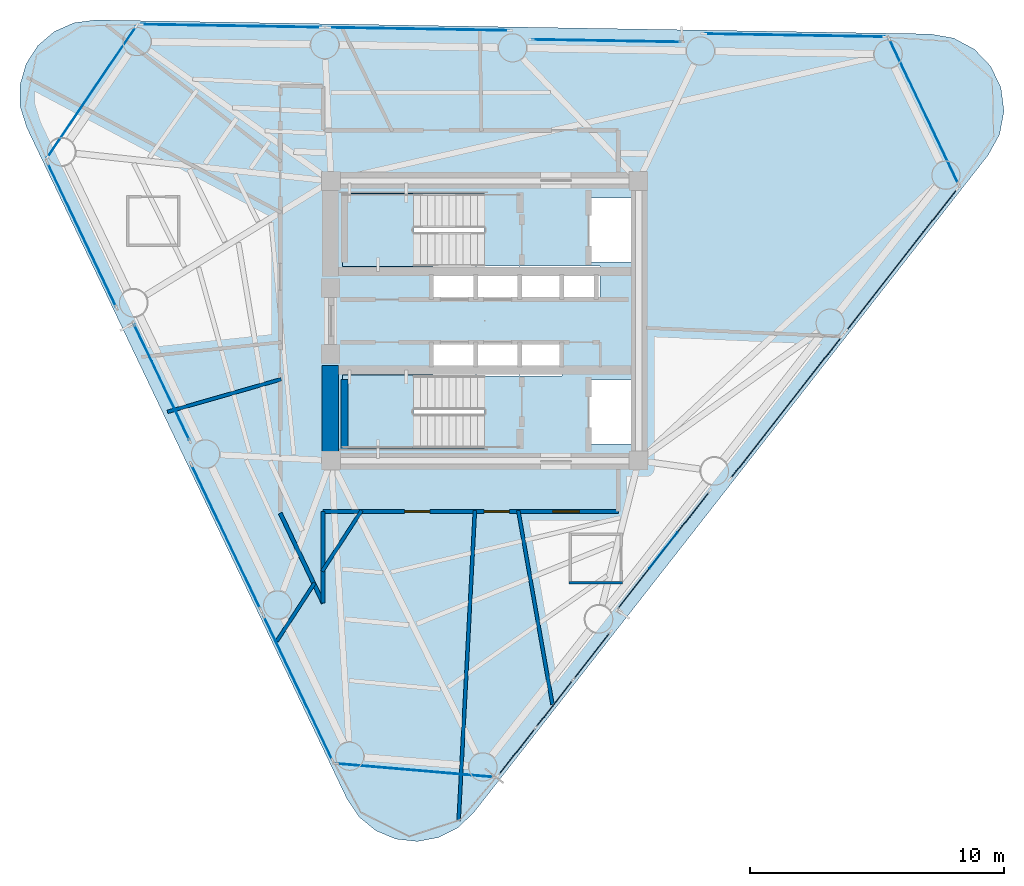
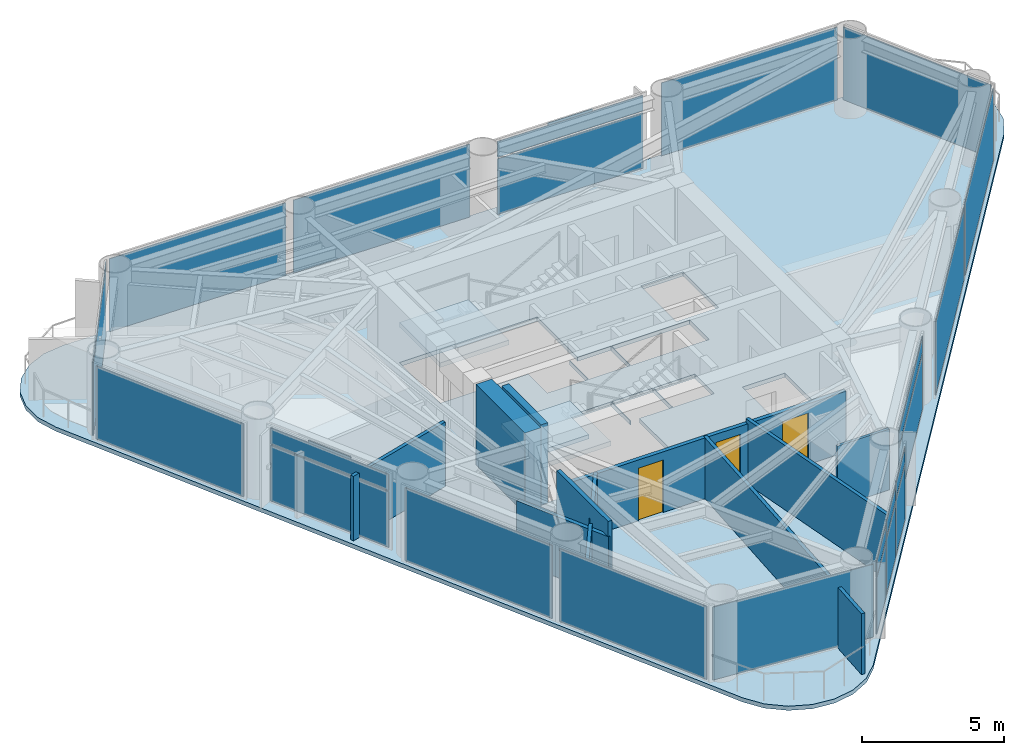
# One storey, part 4 of 10: 26 plates, 11 walls, 3 doors, 3 slabs, 3 openings, 17 elements without a shape of their own.
"""IFC4 building model written with IfcOpenShell, lengths in metres."""

import ifcopenshell
import ifcopenshell.guid

model = None  # the IFC model being written
_history = None  # IfcOwnerHistory: only IFC2X3 demands one
_inside = {}  # id of a spatial element -> (the spatial element, [elements in it])
_under = {}  # id of a project, library or spatial element -> (it, [spatial elements below it])
_declared = {}  # id of a project -> (the project, [libraries it declares])
_typed = {}  # id of a type object -> (the type object, [elements of that type])
_made_of = {}  # id of a material, layer set ... -> (it, [elements and type objects made of it])


def new_model(schema):
    """Start an empty IFC model of exactly this schema.

    Asked for "IFC4X3", IfcOpenShell would pick the latest addendum, in which some entities
    have other attributes; the version numbers below select the first issue.
    IFC2X3 requires an IfcOwnerHistory on every rooted entity: one is made here for all.
    """
    global model, _history
    if schema == "IFC4X3":
        model = ifcopenshell.file(schema_version=(4, 3, 0, 0))
    else:
        model = ifcopenshell.file(schema=schema)
    _inside.clear()
    _under.clear()
    _declared.clear()
    _typed.clear()
    _made_of.clear()
    _history = None
    if model.schema == "IFC2X3":
        org = make("IfcOrganization", Name="unknown")
        user = make(
            "IfcPersonAndOrganization",
            ThePerson=make("IfcPerson", FamilyName="unknown"),
            TheOrganization=org,
        )
        app = make(
            "IfcApplication",
            ApplicationDeveloper=org,
            Version="unknown",
            ApplicationFullName="unknown",
            ApplicationIdentifier="unknown",
        )
        _history = make(
            "IfcOwnerHistory",
            OwningUser=user,
            OwningApplication=app,
            ChangeAction="ADDED",
            CreationDate=0,
        )
    return model


def make(cls, **values):
    """One entity of the class cls with the attributes given. An attribute that is None is left unset."""
    return model.create_entity(
        cls, **{name: value for name, value in values.items() if value is not None}
    )


def rooted(cls, **values):
    """An entity with a GlobalId (a new one), such as an element, a storey or a relation."""
    return make(cls, GlobalId=ifcopenshell.guid.new(), OwnerHistory=_history, **values)


def si_unit(unit_type, name, prefix=None):
    """IfcSIUnit, for example si_unit("LENGTHUNIT", "METRE", prefix="MILLI")."""
    return make("IfcSIUnit", UnitType=unit_type, Prefix=prefix, Name=name)


def assignment(units):
    """IfcUnitAssignment: the units of a project."""
    return None if units is None else make("IfcUnitAssignment", Units=units)


def point(xyz):
    """IfcCartesianPoint."""
    return None if xyz is None else make("IfcCartesianPoint", Coordinates=xyz)


def direction(xyz):
    """IfcDirection."""
    return None if xyz is None else make("IfcDirection", DirectionRatios=xyz)


def frame(location, z_axis=None, x_axis=None):
    """IfcAxis2Placement3D, a coordinate frame: its origin and axes. An axis left out is left unset."""
    return make(
        "IfcAxis2Placement3D",
        Location=point(location),
        Axis=direction(z_axis),
        RefDirection=direction(x_axis),
    )


def frame_2d(location, x_axis=None):
    """IfcAxis2Placement2D, a coordinate frame in the plane: its origin and x axis."""
    return make(
        "IfcAxis2Placement2D", Location=point(location), RefDirection=direction(x_axis)
    )


def origin():
    """The frame at (0, 0, 0) with its axes left unset."""
    return frame((0.0, 0.0, 0.0))


def origin_2d():
    """The frame at (0, 0) in the plane with its x axis left unset."""
    return frame_2d((0.0, 0.0))


def place(relative_to, where):
    """IfcLocalPlacement: puts the frame where relative to a parent placement (None: the world)."""
    return make(
        "IfcLocalPlacement", PlacementRelTo=relative_to, RelativePlacement=where
    )


def context(
    kind, dimensions, precision=None, world=None, true_north=None, identifier=None
):
    """IfcGeometricRepresentationContext, for example the 3D "Model" context."""
    return make(
        "IfcGeometricRepresentationContext",
        ContextIdentifier=identifier,
        ContextType=kind,
        CoordinateSpaceDimension=dimensions,
        Precision=precision,
        WorldCoordinateSystem=world,
        TrueNorth=true_north,
    )


def subcontext(parent, identifier, kind, view, scale=None):
    """IfcGeometricRepresentationSubContext, for example "Body" below "Model"."""
    return make(
        "IfcGeometricRepresentationSubContext",
        ContextIdentifier=identifier,
        ContextType=kind,
        ParentContext=parent,
        TargetScale=scale,
        TargetView=view,
    )


def project(units=None, contexts=None):
    """IfcProject with its units and contexts."""
    return rooted(
        "IfcProject",
        Name="project",
        RepresentationContexts=contexts,
        UnitsInContext=assignment(units),
    )


def spatial(cls, under=None, at=None, **own):
    """A site, building, storey or space (cls), placed at a placement, below another one or the project."""
    s = rooted(cls, ObjectPlacement=at, **own)
    if under is not None:
        _under.setdefault(under.id(), (under, []))[1].append(s)
    return s


def polyline(points):
    """IfcPolyline through the points."""
    return make("IfcPolyline", Points=[point(p) for p in points])


def profile(cls, at=None, kind="AREA", **sizes):
    """A parametric profile (cls). Its sizes go by their IFC names, for example OverallWidth=200.0."""
    return make(cls, ProfileType=kind, Position=at, **sizes)


def rectangle(**sizes):
    """IfcRectangleProfileDef."""
    return profile("IfcRectangleProfileDef", **sizes)


def outline(outer, holes=None, kind="AREA"):
    """IfcArbitraryClosedProfileDef: a profile drawn as a closed curve; with holes, ...WithVoids."""
    if holes is None:
        return make("IfcArbitraryClosedProfileDef", ProfileType=kind, OuterCurve=outer)
    return make(
        "IfcArbitraryProfileDefWithVoids",
        ProfileType=kind,
        OuterCurve=outer,
        InnerCurves=holes,
    )


def extrude(swept, where, along, depth):
    """IfcExtrudedAreaSolid: the profile swept, set in the frame where, extruded along a direction by depth."""
    return make(
        "IfcExtrudedAreaSolid",
        SweptArea=swept,
        Position=where,
        ExtrudedDirection=direction(along),
        Depth=depth,
    )


def shape(context_of_items, identifier, shape_type, items):
    """IfcShapeRepresentation: the items that make up one representation, for example the "Body"."""
    return make(
        "IfcShapeRepresentation",
        ContextOfItems=context_of_items,
        RepresentationIdentifier=identifier,
        RepresentationType=shape_type,
        Items=items,
    )


def source(mapping_origin, context_of_items, identifier, shape_type, items):
    """IfcRepresentationMap: a shape defined once, which mapped items show again and again."""
    return make(
        "IfcRepresentationMap",
        MappingOrigin=mapping_origin,
        MappedRepresentation=shape(context_of_items, identifier, shape_type, items),
    )


def transform(
    local_origin,
    x_axis=None,
    y_axis=None,
    z_axis=None,
    scale=None,
    scale2=None,
    scale3=None,
    uniform=True,
):
    """IfcCartesianTransformationOperator3D, or its non-uniform kind. x_axis, y_axis, z_axis: its Axis1, 2, 3."""
    if uniform:
        return make(
            "IfcCartesianTransformationOperator3D",
            Axis1=direction(x_axis),
            Axis2=direction(y_axis),
            LocalOrigin=point(local_origin),
            Scale=scale,
            Axis3=direction(z_axis),
        )
    return make(
        "IfcCartesianTransformationOperator3DnonUniform",
        Axis1=direction(x_axis),
        Axis2=direction(y_axis),
        LocalOrigin=point(local_origin),
        Scale=scale,
        Axis3=direction(z_axis),
        Scale2=scale2,
        Scale3=scale3,
    )


def mapped(mapping_source, mapping_target):
    """IfcMappedItem: shows the shape of a source again, moved by a transform."""
    return make(
        "IfcMappedItem", MappingSource=mapping_source, MappingTarget=mapping_target
    )


def material(Name=None, Category=None):
    """IfcMaterial."""
    return make("IfcMaterial", Name=Name, Category=Category)


def layer(
    of_material, thickness, ventilated=None, Name=None, Category=None, Priority=None
):
    """IfcMaterialLayer: one layer of a wall or slab, of a material (None: an air gap)."""
    return make(
        "IfcMaterialLayer",
        Material=of_material,
        LayerThickness=thickness,
        IsVentilated=ventilated,
        Name=Name,
        Category=Category,
        Priority=Priority,
    )


def layer_set(layers, Name=None):
    """IfcMaterialLayerSet."""
    return make("IfcMaterialLayerSet", MaterialLayers=layers, LayerSetName=Name)


def made_of(thing, what):
    """Note that an element or type object is made of a material, layer set ...; save() writes the relation."""
    if what is not None:
        _made_of.setdefault(what.id(), (what, []))[1].append(thing)
    return thing


def type_object(cls, material=None, **own):
    """A type object (cls), such as IfcWallType, which elements share."""
    return made_of(rooted(cls, **own), material)


def element(
    cls,
    number,
    at=None,
    inside=None,
    cuts=None,
    type_object=None,
    material=None,
    context=None,
    identifier="Body",
    shape_type=None,
    held_by="IfcProductDefinitionShape",
    body=None,
    shapes=None,
    **own,
):
    """One element of the class cls, such as IfcWall. Its Tag is "e" and its number.

    at: its placement. inside: the storey or other place that contains it. cuts: it is an
    opening in that element (IfcRelVoidsElement). A single representation is given by context,
    identifier, shape_type and body (its items); several are given by shapes. held_by: the class
    of the entity that holds the representations. save() writes the other relations.
    """
    e = rooted(cls, Tag="e%d" % number, ObjectPlacement=at, **own)
    if body is not None:
        shapes = [shape(context, identifier, shape_type, body)]
    if shapes is not None:
        e.Representation = make(held_by, Representations=shapes)
    if inside is not None:
        _inside.setdefault(inside.id(), (inside, []))[1].append(e)
    if cuts is not None:
        rooted(
            "IfcRelVoidsElement", RelatingBuildingElement=cuts, RelatedOpeningElement=e
        )
    if type_object is not None:
        _typed.setdefault(type_object.id(), (type_object, []))[1].append(e)
    return made_of(e, material)


def fill(opening, filler):
    """IfcRelFillsElement: the door or window that sits in an opening."""
    return rooted(
        "IfcRelFillsElement",
        RelatingOpeningElement=opening,
        RelatedBuildingElement=filler,
    )


def aggregate(whole, parts):
    """IfcRelAggregates: a whole, such as a stair, and the parts it consists of."""
    return rooted("IfcRelAggregates", RelatingObject=whole, RelatedObjects=parts)


def save(model, path):
    """Write the relations noted so far, then the file.

    IfcRelAggregates (storeys below a building ...), IfcRelContainedInSpatialStructure (elements
    in a storey), IfcRelDefinesByType, IfcRelAssociatesMaterial and IfcRelDeclares: one each for
    every whole, place, type object, material and project.
    """
    for whole, parts in _under.values():
        aggregate(whole, parts)
    for where, things in _inside.values():
        rooted(
            "IfcRelContainedInSpatialStructure",
            RelatedElements=things,
            RelatingStructure=where,
        )
    for kind, things in _typed.values():
        rooted("IfcRelDefinesByType", RelatedObjects=things, RelatingType=kind)
    for what, things in _made_of.values():
        rooted("IfcRelAssociatesMaterial", RelatedObjects=things, RelatingMaterial=what)
    for by, libraries in _declared.values():
        rooted("IfcRelDeclares", RelatingContext=by, RelatedDefinitions=libraries)
    model.write(path)


model = new_model("IFC4")

# Units and contexts
model_context = context("Model", 3, precision=1e-05, world=origin(), true_north=direction((0.0, 1.0)))
body_context = subcontext(model_context, "Body", "Model", "MODEL_VIEW")
ifc_project = project(units=[si_unit("LENGTHUNIT", "METRE"), si_unit("AREAUNIT", "SQUARE_METRE"), si_unit("VOLUMEUNIT", "CUBIC_METRE"), si_unit("PLANEANGLEUNIT", "RADIAN"), si_unit("MASSUNIT", "GRAM", prefix="KILO")], contexts=[model_context])

# Site, building, storey
site_placement = place(None, origin())
site = spatial("IfcSite", under=ifc_project, at=site_placement, CompositionType="ELEMENT")
building_placement = place(site_placement, origin())
building = spatial("IfcBuilding", under=site, at=building_placement, Name="Yunling Apex Tower", CompositionType="ELEMENT")
storey_placement = place(building_placement, frame((0.0, 0.0, 191.449951171875)))
storey = spatial("IfcBuildingStorey", under=building, at=storey_placement, Name="L46", CompositionType="ELEMENT", Elevation=191.449951171875)

# Slab
ifc_material_1 = material(Name="Concrete C40", Category="concrete")
ifc_layer_1 = layer(ifc_material_1, 0.1650390625)
ifc_layer_set_1 = layer_set([ifc_layer_1], Name="Concrete C40")
slab_type_1 = type_object("IfcSlabType", Name="SL-FLR-2", PredefinedType="FLOOR", material=ifc_layer_set_1)
slab_1_placement = place(storey_placement, frame((0.0, 0.0, -0.179931640625)))
element("IfcSlab", 1, at=slab_1_placement, inside=storey, type_object=slab_type_1, Name="L46 Composite Tower Floor Slab", PredefinedType="FLOOR", context=body_context, shape_type="SweptSolid", body=[
    extrude(outline(polyline([(-5.42578125, -18.80419921875), (-4.95068359375, -19.513427734375), (-4.29248046875, -20.056884765625), (-3.506103515625, -20.38916015625), (-2.65771484375, -20.482421875), (-1.818115234375, -20.32861328125), (-1.0576171875, -19.941162109375), (-0.439697265625, -19.35205078125), (19.8017578125, 6.518798828125), (20.25244140625, 7.333251953125), (20.427001953125, 8.24755859375), (20.307861328125, 9.1708984375), (19.9072265625, 10.010986328125), (19.2646484375, 10.684326171875), (18.4443359375, 11.1240234375), (17.527587890625, 11.286376953125), (-15.316162109375, 11.8369140625), (-16.16259765625, 11.7275390625), (-16.9423828125, 11.38037109375), (-17.59033203125, 10.824462890625), (-18.0517578125, 10.1064453125), (-18.288330078125, 9.286376953125), (-18.2802734375, 8.4326171875), (-18.0283203125, 7.6171875), (-5.42578125, -18.80419921875)]), holes=[polyline([(5.81005859375, -2.320068359375), (5.81005859375, -4.840087890625), (4.090087890625, -4.840087890625), (4.090087890625, -2.320068359375), (5.81005859375, -2.320068359375)]), polyline([(5.81005859375, 4.840087890625), (5.81005859375, 2.320068359375), (4.090087890625, 2.320068359375), (4.090087890625, 4.840087890625), (5.81005859375, 4.840087890625)]), polyline([(4.534912109375, 0.794921875), (1.364990234375, 0.794921875), (1.364990234375, 2.1650390625), (4.534912109375, 2.1650390625), (4.534912109375, 0.794921875)]), polyline([(3.034912109375, -0.794921875), (3.034912109375, -2.1650390625), (1.364990234375, -2.1650390625), (1.364990234375, -0.794921875), (3.034912109375, -0.794921875)]), polyline([(-2.034912109375, -0.794921875), (-0.364990234375, -0.794921875), (-0.364990234375, -2.139892578125), (-0.3349609375, -2.139892578125), (-0.3349609375, -0.794921875), (1.3349609375, -0.794921875), (1.3349609375, -2.1650390625), (-0.010009765625, -2.1650390625), (-0.010009765625, -5.010009765625), (-5.60009765625, -5.010009765625), (-5.60009765625, -2.139892578125), (-2.034912109375, -2.139892578125), (-2.034912109375, -0.794921875)]), polyline([(-5.60009765625, 2.139892578125), (-5.60009765625, 5.010009765625), (-0.010009765625, 5.010009765625), (-0.010009765625, 2.1650390625), (1.3349609375, 2.1650390625), (1.3349609375, 0.794921875), (-0.3349609375, 0.794921875), (-0.3349609375, 2.139892578125), (-0.364990234375, 2.139892578125), (-0.364990234375, 0.794921875), (-2.034912109375, 0.794921875), (-2.034912109375, 2.139892578125), (-5.60009765625, 2.139892578125)])]), origin(), (0.0, 0.0, 1.0), 0.179931640625),
])

# Stair, slab
stair_type = type_object("IfcStairType", Name="ST-TWR-2", PredefinedType="HALF_TURN_STAIR", material=ifc_material_1)
stair_1_placement = place(storey_placement, origin())
stair_1 = element("IfcStair", 2, at=stair_1_placement, inside=storey, type_object=stair_type, Name="L46 North Core Smokeproof Exit Stair ST-1", PredefinedType="HALF_TURN_STAIR")
ifc_layer_2 = layer(ifc_material_1, 0.195068359375)
ifc_layer_set_2 = layer_set([ifc_layer_2], Name="Concrete C40")
slab_type_2 = type_object("IfcSlabType", Name="SL-LND-1", PredefinedType="LANDING", material=ifc_layer_set_2)
slab_2_placement = place(storey_placement, frame((0.0, 0.0, 1.530029296875)))
slab_2 = element("IfcSlab", 3, at=slab_2_placement, type_object=slab_type_2, Name="ST-1 landing 1", PredefinedType="LANDING", context=body_context, shape_type="SweptSolid", body=[
    extrude(outline(polyline([(-2.81005859375, 5.010009765625), (-5.60009765625, 5.010009765625), (-5.60009765625, 2.139892578125), (-2.81005859375, 2.139892578125), (-2.81005859375, 5.010009765625)])), origin(), (0.0, 0.0, 1.0), 0.195068359375),
])
aggregate(stair_1, [slab_2])

stair_2_placement = place(storey_placement, origin())
stair_2 = element("IfcStair", 4, at=stair_2_placement, inside=storey, type_object=stair_type, Name="L46 South Core Smokeproof Exit Stair ST-2", PredefinedType="HALF_TURN_STAIR")
slab_3_placement = place(storey_placement, frame((0.0, 0.0, 1.530029296875)))
slab_3 = element("IfcSlab", 5, at=slab_3_placement, type_object=slab_type_2, Name="ST-2 landing 1", PredefinedType="LANDING", context=body_context, shape_type="SweptSolid", body=[
    extrude(outline(polyline([(-2.81005859375, -2.139892578125), (-5.60009765625, -2.139892578125), (-5.60009765625, -5.010009765625), (-2.81005859375, -5.010009765625), (-2.81005859375, -2.139892578125)])), origin(), (0.0, 0.0, 1.0), 0.195068359375),
])
aggregate(stair_2, [slab_3])

# Plates
ifc_material_2 = material(Name="Bronze anodised aluminium", Category="aluminium")
ifc_layer_3 = layer(ifc_material_2, 0.011962890625)
ifc_layer_set_3 = layer_set([ifc_layer_3], Name="Bronze anodised aluminium")
plate_type_1 = type_object("IfcPlateType", Name="SP-SHT-1", PredefinedType="SHEET", material=ifc_layer_set_3)
shared_shape_1 = source(origin(), body_context, "Body", "SweptSolid", [
    extrude(rectangle(XDim=1.800048828125, YDim=0.02392578125, at=origin_2d()), origin(), (0.0, 0.0, 1.0), 0.43994140625),
])
for number, where, z_axis, x_axis, name in (
    (6, (7.02587890625, -9.03125, 2.8701171875), (0.0, 0.0, 1.0), (0.616211460536, 0.787580748815, 0.0), "SP-GRV-L46-F1"),
    (7, (4.792724609375, 11.019775390625, 2.8701171875), (0.0, 0.0, 1.0), (-0.999859635577, 0.016754376869, 0.0), "SP-GRV-L46-F2"),
    (8, (-12.71142578125, -2.414306640625, 2.8701171875), (0.0, 0.0, 1.0), (0.430511096808, -0.90258528435, 0.0), "SP-GRV-L46-F3"),
):
    element("IfcPlate", number, at=place(storey_placement, frame(where, z_axis=z_axis, x_axis=x_axis)), inside=storey, type_object=plate_type_1, Name=name, PredefinedType="SHEET", context=body_context, shape_type="MappedRepresentation", body=[
        mapped(shared_shape_1, transform((0.0, 0.0, 0.0), scale=1.0)),
    ])

# Curtain wall, plates
ifc_layer_4 = layer(ifc_material_2, 0.239990234375)
ifc_layer_set_4 = layer_set([ifc_layer_4], Name="Bronze anodised aluminium")
curtain_wall_type = type_object("IfcCurtainWallType", Name="CW-SYS-3", PredefinedType="NOTDEFINED", material=ifc_layer_set_4)
curtain_wall_1_placement = place(storey_placement, origin())
curtain_wall_1 = element("IfcCurtainWall", 9, at=curtain_wall_1_placement, inside=storey, type_object=curtain_wall_type, Name="CW-L46-F1-B1", PredefinedType="NOTDEFINED")
ifc_material_3 = material(Name="Bronze tinted low-E glass", Category="glass")
ifc_layer_5 = layer(ifc_material_3, 0.031982421875)
ifc_layer_set_5 = layer_set([ifc_layer_5], Name="Bronze tinted low-E glass")
plate_type_2 = type_object("IfcPlateType", Name="CW-PNL-3", PredefinedType="CURTAIN_PANEL", material=ifc_layer_set_5)
shared_shape_2 = source(origin(), body_context, "Body", "SweptSolid", [
    extrude(rectangle(XDim=2.306396484375, YDim=0.031982421875, at=origin_2d()), origin(), (0.0, 0.0, 1.0), 2.381103515625),
])
plate_1_placement = place(storey_placement, frame((1.266357421875, -16.9443359375, 0.072265625), z_axis=(0.0, 0.0, 1.0), x_axis=(0.616200489644, 0.787589332433, 0.0)))
plate_1 = element("IfcPlate", 10, at=plate_1_placement, type_object=plate_type_2, Name="CW-SYS-3 panel 1.1", PredefinedType="CURTAIN_PANEL", context=body_context, shape_type="MappedRepresentation", body=[
    mapped(shared_shape_2, transform((0.0, 0.0, 0.0), scale=1.0)),
])
plate_2_placement = place(storey_placement, frame((4.212158203125, -13.17919921875, 0.072265625), z_axis=(0.0, 0.0, 1.0), x_axis=(0.616200489644, 0.787589332433, 0.0)))
plate_2 = element("IfcPlate", 11, at=plate_2_placement, type_object=plate_type_2, Name="CW-SYS-3 panel 3.1", PredefinedType="CURTAIN_PANEL", context=body_context, shape_type="MappedRepresentation", body=[
    mapped(shared_shape_2, transform((0.0, 0.0, 0.0), scale=1.0)),
])
shared_shape_3 = source(origin(), body_context, "Body", "SweptSolid", [
    extrude(rectangle(XDim=2.306396484375, YDim=0.031982421875, at=origin_2d()), origin(), (0.0, 0.0, 1.0), 0.680908203125),
])
plate_3_placement = place(storey_placement, frame((1.266357421875, -16.9443359375, 2.51708984375), z_axis=(0.0, 0.0, 1.0), x_axis=(0.616200489644, 0.787589332433, 0.0)))
plate_3 = element("IfcPlate", 12, at=plate_3_placement, type_object=plate_type_2, Name="CW-SYS-3 panel 1.2", PredefinedType="CURTAIN_PANEL", context=body_context, shape_type="MappedRepresentation", body=[
    mapped(shared_shape_3, transform((0.0, 0.0, 0.0), scale=1.0)),
])
plate_4_placement = place(storey_placement, frame((4.212158203125, -13.17919921875, 2.51708984375), z_axis=(0.0, 0.0, 1.0), x_axis=(0.616200489644, 0.787589332433, 0.0)))
plate_4 = element("IfcPlate", 13, at=plate_4_placement, type_object=plate_type_2, Name="CW-SYS-3 panel 3.2", PredefinedType="CURTAIN_PANEL", context=body_context, shape_type="MappedRepresentation", body=[
    mapped(shared_shape_3, transform((0.0, 0.0, 0.0), scale=1.0)),
])
shared_shape_4 = source(origin(), body_context, "Body", "SweptSolid", [
    extrude(rectangle(XDim=2.34619140625, YDim=0.031982421875, at=origin_2d()), origin(), (0.0, 0.0, 1.0), 2.381103515625),
])
plate_5_placement = place(storey_placement, frame((2.7392578125, -15.061767578125, 0.072265625), z_axis=(0.0, 0.0, 1.0), x_axis=(0.616200489644, 0.787589332433, 0.0)))
plate_5 = element("IfcPlate", 14, at=plate_5_placement, type_object=plate_type_2, Name="CW-SYS-3 panel 2.1", PredefinedType="CURTAIN_PANEL", context=body_context, shape_type="MappedRepresentation", body=[
    mapped(shared_shape_4, transform((0.0, 0.0, 0.0), scale=1.0)),
])
shared_shape_5 = source(origin(), body_context, "Body", "SweptSolid", [
    extrude(rectangle(XDim=2.34619140625, YDim=0.031982421875, at=origin_2d()), origin(), (0.0, 0.0, 1.0), 0.680908203125),
])
plate_6_placement = place(storey_placement, frame((2.7392578125, -15.061767578125, 2.51708984375), z_axis=(0.0, 0.0, 1.0), x_axis=(0.616200489644, 0.787589332433, 0.0)))
plate_6 = element("IfcPlate", 15, at=plate_6_placement, type_object=plate_type_2, Name="CW-SYS-3 panel 2.2", PredefinedType="CURTAIN_PANEL", context=body_context, shape_type="MappedRepresentation", body=[
    mapped(shared_shape_5, transform((0.0, 0.0, 0.0), scale=1.0)),
])
aggregate(curtain_wall_1, [plate_1, plate_3, plate_5, plate_6, plate_2, plate_4])

# Curtain wall, plate
curtain_wall_2_placement = place(storey_placement, origin())
curtain_wall_2 = element("IfcCurtainWall", 16, at=curtain_wall_2_placement, inside=storey, type_object=curtain_wall_type, Name="CW-L46-F1-B2", PredefinedType="NOTDEFINED")
shared_shape_6 = source(origin(), body_context, "Body", "SweptSolid", [
    extrude(rectangle(XDim=5.846923828125, YDim=0.031982421875, at=origin_2d()), origin(), (0.0, 0.0, 1.0), 2.381103515625),
])
plate_7_placement = place(storey_placement, frame((7.025634765625, -9.03125, 0.072265625), z_axis=(0.0, 0.0, 1.0), x_axis=(0.616216892053, 0.787576499109, 0.0)))
plate_7 = element("IfcPlate", 17, at=plate_7_placement, type_object=plate_type_2, Name="CW-SYS-3 panel 1.1", PredefinedType="CURTAIN_PANEL", context=body_context, shape_type="MappedRepresentation", body=[
    mapped(shared_shape_6, transform((0.0, 0.0, 0.0), scale=1.0)),
])

curtain_wall_3_placement = place(storey_placement, origin())
curtain_wall_3 = element("IfcCurtainWall", 18, at=curtain_wall_3_placement, inside=storey, type_object=curtain_wall_type, Name="CW-L46-F2-B2", PredefinedType="NOTDEFINED")
plate_8_placement = place(storey_placement, frame((4.792724609375, 11.019775390625, 0.072265625), z_axis=(0.0, 0.0, 1.0), x_axis=(-0.999859564213, 0.016758635119, 0.0)))
plate_8 = element("IfcPlate", 19, at=plate_8_placement, type_object=plate_type_2, Name="CW-SYS-3 panel 1.1", PredefinedType="CURTAIN_PANEL", context=body_context, shape_type="MappedRepresentation", body=[
    mapped(shared_shape_6, transform((0.0, 0.0, 0.0), scale=1.0)),
])

# Plate
shared_shape_7 = source(origin(), body_context, "Body", "SweptSolid", [
    extrude(rectangle(XDim=5.846923828125, YDim=0.031982421875, at=origin_2d()), origin(), (0.0, 0.0, 1.0), 0.680908203125),
])
plate_9_placement = place(storey_placement, frame((7.025634765625, -9.03125, 2.51708984375), z_axis=(0.0, 0.0, 1.0), x_axis=(0.616216892053, 0.787576499109, 0.0)))
plate_9 = element("IfcPlate", 20, at=plate_9_placement, type_object=plate_type_2, Name="CW-SYS-3 panel 1.2", PredefinedType="CURTAIN_PANEL", context=body_context, shape_type="MappedRepresentation", body=[
    mapped(shared_shape_7, transform((0.0, 0.0, 0.0), scale=1.0)),
])

aggregate(curtain_wall_2, [plate_7, plate_9])

plate_10_placement = place(storey_placement, frame((4.792724609375, 11.019775390625, 2.51708984375), z_axis=(0.0, 0.0, 1.0), x_axis=(-0.999859564213, 0.016758635119, 0.0)))
plate_10 = element("IfcPlate", 21, at=plate_10_placement, type_object=plate_type_2, Name="CW-SYS-3 panel 1.2", PredefinedType="CURTAIN_PANEL", context=body_context, shape_type="MappedRepresentation", body=[
    mapped(shared_shape_7, transform((0.0, 0.0, 0.0), scale=1.0)),
])

aggregate(curtain_wall_3, [plate_8, plate_10])

# Curtain wall, plate
curtain_wall_4_placement = place(storey_placement, origin())
curtain_wall_4 = element("IfcCurtainWall", 22, at=curtain_wall_4_placement, inside=storey, type_object=curtain_wall_type, Name="CW-L46-F1-B3", PredefinedType="NOTDEFINED")
shared_shape_8 = source(origin(), body_context, "Body", "SweptSolid", [
    extrude(rectangle(XDim=7.0869140625, YDim=0.031982421875, at=origin_2d()), origin(), (0.0, 0.0, 1.0), 3.1259765625),
])
plate_11_placement = place(storey_placement, frame((11.847900390625, -3.419921875, 0.072021484375), z_axis=(0.0, 0.0, 1.0), x_axis=(0.616200489644, 0.787589332433, 0.0)))
plate_11 = element("IfcPlate", 23, at=plate_11_placement, type_object=plate_type_2, Name="CW-SYS-3 panel 1.1", PredefinedType="CURTAIN_PANEL", context=body_context, shape_type="MappedRepresentation", body=[
    mapped(shared_shape_8, transform((0.0, 0.0, 0.0), scale=1.0)),
])
aggregate(curtain_wall_4, [plate_11])

curtain_wall_5_placement = place(storey_placement, origin())
curtain_wall_5 = element("IfcCurtainWall", 24, at=curtain_wall_5_placement, inside=storey, type_object=curtain_wall_type, Name="CW-L46-F1-B4", PredefinedType="NOTDEFINED")
plate_12_placement = place(storey_placement, frame((16.402099609375, 2.401123046875, 0.072021484375), z_axis=(0.0, 0.0, 1.0), x_axis=(0.616200489644, 0.787589332433, 0.0)))
plate_12 = element("IfcPlate", 25, at=plate_12_placement, type_object=plate_type_2, Name="CW-SYS-3 panel 1.1", PredefinedType="CURTAIN_PANEL", context=body_context, shape_type="MappedRepresentation", body=[
    mapped(shared_shape_8, transform((0.0, 0.0, 0.0), scale=1.0)),
])
aggregate(curtain_wall_5, [plate_12])

curtain_wall_6_placement = place(storey_placement, origin())
curtain_wall_6 = element("IfcCurtainWall", 26, at=curtain_wall_6_placement, inside=storey, type_object=curtain_wall_type, Name="CW-L46-F2-B1", PredefinedType="NOTDEFINED")
plate_13_placement = place(storey_placement, frame((12.188232421875, 11.23583984375, 0.072021484375), z_axis=(0.0, 0.0, 1.0), x_axis=(-0.999859518498, 0.016761362354, 0.0)))
plate_13 = element("IfcPlate", 27, at=plate_13_placement, type_object=plate_type_2, Name="CW-SYS-3 panel 1.1", PredefinedType="CURTAIN_PANEL", context=body_context, shape_type="MappedRepresentation", body=[
    mapped(shared_shape_8, transform((0.0, 0.0, 0.0), scale=1.0)),
])
aggregate(curtain_wall_6, [plate_13])

curtain_wall_7_placement = place(storey_placement, origin())
curtain_wall_7 = element("IfcCurtainWall", 28, at=curtain_wall_7_placement, inside=storey, type_object=curtain_wall_type, Name="CW-L46-F2-B3", PredefinedType="NOTDEFINED")
plate_14_placement = place(storey_placement, frame((-2.591552734375, 11.483642578125, 0.072021484375), z_axis=(0.0, 0.0, 1.0), x_axis=(-0.999859754051, 0.016747305141, 0.0)))
plate_14 = element("IfcPlate", 29, at=plate_14_placement, type_object=plate_type_2, Name="CW-SYS-3 panel 1.1", PredefinedType="CURTAIN_PANEL", context=body_context, shape_type="MappedRepresentation", body=[
    mapped(shared_shape_8, transform((0.0, 0.0, 0.0), scale=1.0)),
])
aggregate(curtain_wall_7, [plate_14])

curtain_wall_8_placement = place(storey_placement, origin())
curtain_wall_8 = element("IfcCurtainWall", 30, at=curtain_wall_8_placement, inside=storey, type_object=curtain_wall_type, Name="CW-L46-F2-B4", PredefinedType="NOTDEFINED")
plate_15_placement = place(storey_placement, frame((-9.9814453125, 11.607421875, 0.072021484375), z_axis=(0.0, 0.0, 1.0), x_axis=(-0.999859518498, 0.016761362354, 0.0)))
plate_15 = element("IfcPlate", 31, at=plate_15_placement, type_object=plate_type_2, Name="CW-SYS-3 panel 1.1", PredefinedType="CURTAIN_PANEL", context=body_context, shape_type="MappedRepresentation", body=[
    mapped(shared_shape_8, transform((0.0, 0.0, 0.0), scale=1.0)),
])
aggregate(curtain_wall_8, [plate_15])

curtain_wall_9_placement = place(storey_placement, origin())
curtain_wall_9 = element("IfcCurtainWall", 32, at=curtain_wall_9_placement, inside=storey, type_object=curtain_wall_type, Name="CW-L46-CRN1", PredefinedType="NOTDEFINED")
shared_shape_9 = source(origin(), body_context, "Body", "SweptSolid", [
    extrude(rectangle(XDim=6.31494140625, YDim=0.031982421875, at=origin_2d()), origin(), (0.0, 0.0, 1.0), 3.1259765625),
])
plate_16_placement = place(storey_placement, frame((17.273193359375, 8.239013671875, 0.072021484375), z_axis=(0.0, 0.0, 1.0), x_axis=(-0.430527245951, 0.902577581426, 0.0)))
plate_16 = element("IfcPlate", 33, at=plate_16_placement, type_object=plate_type_2, Name="CW-SYS-3 panel 1.1", PredefinedType="CURTAIN_PANEL", context=body_context, shape_type="MappedRepresentation", body=[
    mapped(shared_shape_9, transform((0.0, 0.0, 0.0), scale=1.0)),
])
aggregate(curtain_wall_9, [plate_16])

curtain_wall_10_placement = place(storey_placement, origin())
curtain_wall_10 = element("IfcCurtainWall", 34, at=curtain_wall_10_placement, inside=storey, type_object=curtain_wall_type, Name="CW-L46-CRN2", PredefinedType="NOTDEFINED")
shared_shape_10 = source(origin(), body_context, "Body", "SweptSolid", [
    extrude(rectangle(XDim=6.237060546875, YDim=0.031982421875, at=origin_2d()), origin(), (0.0, 0.0, 1.0), 3.1259765625),
])
plate_17_placement = place(storey_placement, frame((-15.465087890625, 9.007080078125, 0.072021484375), z_axis=(0.0, 0.0, 1.0), x_axis=(-0.56057021458, -0.828106898006, 0.0)))
plate_17 = element("IfcPlate", 35, at=plate_17_placement, type_object=plate_type_2, Name="CW-SYS-3 panel 1.1", PredefinedType="CURTAIN_PANEL", context=body_context, shape_type="MappedRepresentation", body=[
    mapped(shared_shape_10, transform((0.0, 0.0, 0.0), scale=1.0)),
])
aggregate(curtain_wall_10, [plate_17])

curtain_wall_11_placement = place(storey_placement, origin())
curtain_wall_11 = element("IfcCurtainWall", 36, at=curtain_wall_11_placement, inside=storey, type_object=curtain_wall_type, Name="CW-L46-CRN3", PredefinedType="NOTDEFINED")
plate_18_placement = place(storey_placement, frame((-2.732666015625, -17.68701171875, 0.072021484375), z_axis=(0.0, 0.0, 1.0), x_axis=(0.996336698637, -0.085517150026, 0.0)))
plate_18 = element("IfcPlate", 37, at=plate_18_placement, type_object=plate_type_2, Name="CW-SYS-3 panel 1.1", PredefinedType="CURTAIN_PANEL", context=body_context, shape_type="MappedRepresentation", body=[
    mapped(shared_shape_10, transform((0.0, 0.0, 0.0), scale=1.0)),
])
aggregate(curtain_wall_11, [plate_18])

curtain_wall_12_placement = place(storey_placement, origin())
curtain_wall_12 = element("IfcCurtainWall", 38, at=curtain_wall_12_placement, inside=storey, type_object=curtain_wall_type, Name="CW-L46-F3-B1", PredefinedType="NOTDEFINED")
shared_shape_11 = source(origin(), body_context, "Body", "SweptSolid", [
    extrude(rectangle(XDim=6.282470703125, YDim=0.031982421875, at=origin_2d()), origin(), (0.0, 0.0, 1.0), 3.1259765625),
])
plate_19_placement = place(storey_placement, frame((-15.85400390625, 3.384033203125, 0.072021484375), z_axis=(0.0, 0.0, 1.0), x_axis=(0.430517577128, -0.902582193367, 0.0)))
plate_19 = element("IfcPlate", 39, at=plate_19_placement, type_object=plate_type_2, Name="CW-SYS-3 panel 1.1", PredefinedType="CURTAIN_PANEL", context=body_context, shape_type="MappedRepresentation", body=[
    mapped(shared_shape_11, transform((0.0, 0.0, 0.0), scale=1.0)),
])
aggregate(curtain_wall_12, [plate_19])

curtain_wall_13_placement = place(storey_placement, origin())
curtain_wall_13 = element("IfcCurtainWall", 40, at=curtain_wall_13_placement, inside=storey, type_object=curtain_wall_type, Name="CW-L46-F3-B3", PredefinedType="NOTDEFINED")
plate_20_placement = place(storey_placement, frame((-10.182861328125, -8.505615234375, 0.072021484375), z_axis=(0.0, 0.0, 1.0), x_axis=(0.430504900417, -0.902588239851, 0.0)))
plate_20 = element("IfcPlate", 41, at=plate_20_placement, type_object=plate_type_2, Name="CW-SYS-3 panel 1.1", PredefinedType="CURTAIN_PANEL", context=body_context, shape_type="MappedRepresentation", body=[
    mapped(shared_shape_11, transform((0.0, 0.0, 0.0), scale=1.0)),
])
aggregate(curtain_wall_13, [plate_20])

curtain_wall_14_placement = place(storey_placement, origin())
curtain_wall_14 = element("IfcCurtainWall", 42, at=curtain_wall_14_placement, inside=storey, type_object=curtain_wall_type, Name="CW-L46-F3-B4", PredefinedType="NOTDEFINED")
plate_21_placement = place(storey_placement, frame((-7.347412109375, -14.450439453125, 0.072021484375), z_axis=(0.0, 0.0, 1.0), x_axis=(0.430517577128, -0.902582193367, 0.0)))
plate_21 = element("IfcPlate", 43, at=plate_21_placement, type_object=plate_type_2, Name="CW-SYS-3 panel 1.1", PredefinedType="CURTAIN_PANEL", context=body_context, shape_type="MappedRepresentation", body=[
    mapped(shared_shape_11, transform((0.0, 0.0, 0.0), scale=1.0)),
])
aggregate(curtain_wall_14, [plate_21])

# Curtain wall, plates
curtain_wall_15_placement = place(storey_placement, origin())
curtain_wall_15 = element("IfcCurtainWall", 44, at=curtain_wall_15_placement, inside=storey, type_object=curtain_wall_type, Name="CW-L46-F3-B2", PredefinedType="NOTDEFINED")
shared_shape_12 = source(origin(), body_context, "Body", "SweptSolid", [
    extrude(rectangle(XDim=5.042236328125, YDim=0.031982421875, at=origin_2d()), origin(), (0.0, 0.0, 1.0), 2.381103515625),
])
plate_22_placement = place(storey_placement, frame((-12.71142578125, -2.41455078125, 0.072265625), z_axis=(0.0, 0.0, 1.0), x_axis=(0.430515783062, -0.902583049107, 0.0)))
plate_22 = element("IfcPlate", 45, at=plate_22_placement, type_object=plate_type_2, Name="CW-SYS-3 panel 1.1", PredefinedType="CURTAIN_PANEL", context=body_context, shape_type="MappedRepresentation", body=[
    mapped(shared_shape_12, transform((0.0, 0.0, 0.0), scale=1.0)),
])
shared_shape_13 = source(origin(), body_context, "Body", "SweptSolid", [
    extrude(rectangle(XDim=5.042236328125, YDim=0.031982421875, at=origin_2d()), origin(), (0.0, 0.0, 1.0), 0.680908203125),
])
plate_23_placement = place(storey_placement, frame((-12.71142578125, -2.41455078125, 2.51708984375), z_axis=(0.0, 0.0, 1.0), x_axis=(0.430515783062, -0.902583049107, 0.0)))
plate_23 = element("IfcPlate", 46, at=plate_23_placement, type_object=plate_type_2, Name="CW-SYS-3 panel 1.2", PredefinedType="CURTAIN_PANEL", context=body_context, shape_type="MappedRepresentation", body=[
    mapped(shared_shape_13, transform((0.0, 0.0, 0.0), scale=1.0)),
])
aggregate(curtain_wall_15, [plate_22, plate_23])

# Walls
ifc_material_4 = material(Name="Concrete C50", Category="concrete")
ifc_layer_6 = layer(ifc_material_4, 0.64990234375)
ifc_layer_set_6 = layer_set([ifc_layer_6], Name="Concrete C50")
wall_type_1 = type_object("IfcWallType", Name="WL-COR-2", PredefinedType="SHEAR", material=ifc_layer_set_6)
wall_1_placement = place(storey_placement, frame((-6.074951171875, -5.199951171875, 0.0), z_axis=(0.0, 0.0, 1.0), x_axis=(0.0, 1.0, 0.0)))
element("IfcWall", 47, at=wall_1_placement, inside=storey, type_object=wall_type_1, Name="L46 West-South Core Shear Wall", PredefinedType="SHEAR", context=body_context, shape_type="SweptSolid", body=[
    extrude(rectangle(XDim=3.449951171875, YDim=0.64990234375, at=frame_2d((1.72509765625, 0.0))), origin(), (0.0, 0.0, 1.0), 3.449951171875),
])
ifc_layer_7 = layer(ifc_material_1, 0.280029296875)
ifc_layer_set_7 = layer_set([ifc_layer_7], Name="Concrete C40")
wall_type_2 = type_object("IfcWallType", Name="WL-COR-8", PredefinedType="SHEAR", material=ifc_layer_set_7)
wall_2_placement = place(storey_placement, frame((-5.52001953125, -5.050048828125, 0.0), z_axis=(0.0, 0.0, 1.0), x_axis=(0.0, 1.0, 0.0)))
element("IfcWall", 48, at=wall_2_placement, inside=storey, type_object=wall_type_2, Name="L46 ST-2 West Landing Bearing Wall", PredefinedType="SHEAR", context=body_context, shape_type="SweptSolid", body=[
    extrude(rectangle(XDim=2.75, YDim=0.280029296875, at=frame_2d((1.375, 0.0))), origin(), (0.0, 0.0, 1.0), 3.449951171875),
])
ifc_material_5 = material(Name="Gypsum board acoustic partition")
ifc_layer_8 = layer(ifc_material_5, 0.159912109375)
ifc_layer_set_8 = layer_set([ifc_layer_8], Name="Gypsum board acoustic partition")
wall_type_3 = type_object("IfcWallType", Name="WL-PRT-1", PredefinedType="PARTITIONING", material=ifc_layer_set_8)
wall_3_placement = place(storey_placement, frame((-6.360107421875, -7.5, 0.0), z_axis=(0.0, 0.0, 1.0), x_axis=(0.0, -1.0, 0.0)))
element("IfcWall", 49, at=wall_3_placement, inside=storey, type_object=wall_type_3, Name="WL-CORR-L46-01", PredefinedType="PARTITIONING", context=body_context, shape_type="SweptSolid", body=[
    extrude(rectangle(XDim=3.6083984375, YDim=0.159912109375, at=frame_2d((1.80419921875, 0.0))), origin(), (0.0, 0.0, 1.0), 3.25),
])
wall_4_placement = place(storey_placement, frame((-6.360107421875, -11.1083984375, 0.0), z_axis=(0.0, 0.0, 1.0), x_axis=(-0.430493571255, 0.902593643401, 0.0)))
element("IfcWall", 50, at=wall_4_placement, inside=storey, type_object=wall_type_3, Name="WL-CORR-L46-02", PredefinedType="PARTITIONING", context=body_context, shape_type="SweptSolid", body=[
    extrude(rectangle(XDim=3.925537109375, YDim=0.159912109375, at=frame_2d((1.962890625, 0.0))), origin(), (0.0, 0.0, 1.0), 2.60498046875),
])

# Wall, openings, doors
wall_5_placement = place(storey_placement, frame((5.25, -7.5, 0.0), z_axis=(0.0, 0.0, 1.0), x_axis=(-1.0, 0.0, 0.0)))
wall_5 = element("IfcWall", 51, at=wall_5_placement, inside=storey, type_object=wall_type_3, Name="WL-CORR-L46-10", PredefinedType="PARTITIONING", context=body_context, shape_type="SweptSolid", body=[
    extrude(rectangle(XDim=11.610107421875, YDim=0.159912109375, at=frame_2d((5.80517578125, 0.0))), origin(), (0.0, 0.0, 1.0), 2.60498046875),
])
opening_1_placement = place(wall_5_placement, frame((1.525146484375, 0.0, 0.0)))
opening_1 = element("IfcOpeningElement", 52, at=opening_1_placement, cuts=wall_5, Name="Opening DR-FL-1", PredefinedType="OPENING", context=body_context, shape_type="SweptSolid", body=[
    extrude(rectangle(XDim=1.050048828125, YDim=2.199951171875, at=frame_2d((0.52490234375, 1.10009765625))), frame((0.0, 0.08984375, 0.0), z_axis=(0.0, -1.0, 0.0), x_axis=(1.0, 0.0, 0.0)), (0.0, 0.0, 1.0), 0.179931640625),
])
opening_2_placement = place(wall_5_placement, frame((4.28076171875, 0.0, 0.0)))
opening_2 = element("IfcOpeningElement", 53, at=opening_2_placement, cuts=wall_5, Name="Opening DR-OFF-1", PredefinedType="OPENING", context=body_context, shape_type="SweptSolid", body=[
    extrude(rectangle(XDim=1.0, YDim=2.25, at=frame_2d((0.5, 1.125))), frame((0.0, 0.08984375, 0.0), z_axis=(0.0, -1.0, 0.0), x_axis=(1.0, 0.0, 0.0)), (0.0, 0.0, 1.0), 0.179931640625),
])
opening_3_placement = place(wall_5_placement, frame((7.4091796875, 0.0, 0.0)))
opening_3 = element("IfcOpeningElement", 54, at=opening_3_placement, cuts=wall_5, Name="Opening DR-OFF-1", PredefinedType="OPENING", context=body_context, shape_type="SweptSolid", body=[
    extrude(rectangle(XDim=1.0, YDim=2.25, at=frame_2d((0.5, 1.125))), frame((0.0, 0.08984375, 0.0), z_axis=(0.0, -1.0, 0.0), x_axis=(1.0, 0.0, 0.0)), (0.0, 0.0, 1.0), 0.179931640625),
])
ifc_material_6 = material(Name="Timber fire-rated leaf", Category="wood")
door_type_1 = type_object("IfcDoorType", Name="DR-FL-1", OperationType="NOTDEFINED", PredefinedType="DOOR", material=ifc_material_6)
door_1_placement = place(opening_1_placement, origin())
door_1 = element("IfcDoor", 55, at=door_1_placement, inside=storey, type_object=door_type_1, Name="L46 Hotel Suite Door", OperationType="SINGLE_SWING_RIGHT", OverallHeight=2.199951171875, OverallWidth=1.050048828125, PredefinedType="DOOR", context=body_context, shape_type="SweptSolid", body=[
    extrude(rectangle(XDim=1.050048828125, YDim=2.199951171875, at=frame_2d((0.52490234375, 1.10009765625))), frame((0.0, 0.02490234375, 0.0), z_axis=(0.0, -1.0, 0.0), x_axis=(1.0, 0.0, 0.0)), (0.0, 0.0, 1.0), 0.050048828125),
])
fill(opening_1, door_1)
door_type_2 = type_object("IfcDoorType", Name="DR-OFF-1", OperationType="NOTDEFINED", PredefinedType="DOOR", material=ifc_material_2)
door_2_placement = place(opening_2_placement, origin())
door_2 = element("IfcDoor", 56, at=door_2_placement, inside=storey, type_object=door_type_2, Name="L46 Club Lounge Door", OperationType="SINGLE_SWING_LEFT", OverallHeight=2.25, OverallWidth=1.0, PredefinedType="DOOR", context=body_context, shape_type="SweptSolid", body=[
    extrude(rectangle(XDim=1.0, YDim=2.25, at=frame_2d((0.5, 1.125))), frame((0.0, 0.02490234375, 0.0), z_axis=(0.0, -1.0, 0.0), x_axis=(1.0, 0.0, 0.0)), (0.0, 0.0, 1.0), 0.050048828125),
])
fill(opening_2, door_2)
door_3_placement = place(opening_3_placement, origin())
door_3 = element("IfcDoor", 57, at=door_3_placement, inside=storey, type_object=door_type_2, Name="L46 Hotel Fitness Club Door", OperationType="SINGLE_SWING_RIGHT", OverallHeight=2.25, OverallWidth=1.0, PredefinedType="DOOR", context=body_context, shape_type="SweptSolid", body=[
    extrude(rectangle(XDim=1.0, YDim=2.25, at=frame_2d((0.5, 1.125))), frame((0.0, 0.02490234375, 0.0), z_axis=(0.0, -1.0, 0.0), x_axis=(1.0, 0.0, 0.0)), (0.0, 0.0, 1.0), 0.050048828125),
])
fill(opening_3, door_3)

# Walls
ifc_layer_9 = layer(ifc_material_5, 0.139892578125)
ifc_layer_set_9 = layer_set([ifc_layer_9], Name="Gypsum board acoustic partition")
wall_type_4 = type_object("IfcWallType", Name="WL-PRT-2", PredefinedType="PARTITIONING", material=ifc_layer_set_9)
wall_6_placement = place(storey_placement, frame((-8.010009765625, -2.296875, 0.0), z_axis=(0.0, 0.0, 1.0), x_axis=(-0.961260451266, -0.275641696467, 0.0)))
element("IfcWall", 58, at=wall_6_placement, inside=storey, type_object=wall_type_4, Name="WL-RAD-L46-07", PredefinedType="PARTITIONING", context=body_context, shape_type="SweptSolid", body=[
    extrude(rectangle(XDim=4.657958984375, YDim=0.139892578125, at=frame_2d((2.3291015625, 0.0))), origin(), (0.0, 0.0, 1.0), 2.76513671875),
])
wall_7_placement = place(storey_placement, frame((-4.844482421875, -7.4599609375, 0.0), z_axis=(0.0, 0.0, 1.0), x_axis=(-0.544657766351, -0.838658403376, 0.0)))
element("IfcWall", 59, at=wall_7_placement, inside=storey, type_object=wall_type_4, Name="WL-RAD-L46-08", PredefinedType="PARTITIONING", context=body_context, shape_type="SweptSolid", body=[
    extrude(rectangle(XDim=2.855712890625, YDim=0.139892578125, at=frame_2d((1.427734375, 0.0))), origin(), (0.0, 0.0, 1.0), 2.60498046875),
])
wall_8_placement = place(storey_placement, frame((-6.696044921875, -10.310791015625, 0.0), z_axis=(0.0, 0.0, 1.0), x_axis=(-0.54459891399, -0.838696621479, 0.0)))
element("IfcWall", 60, at=wall_8_placement, inside=storey, type_object=wall_type_4, Name="WL-RAD-L46-09", PredefinedType="PARTITIONING", context=body_context, shape_type="SweptSolid", body=[
    extrude(rectangle(XDim=2.73291015625, YDim=0.139892578125, at=frame_2d((1.366455078125, 0.0))), origin(), (0.0, 0.0, 1.0), 2.76513671875),
])
wall_9_placement = place(storey_placement, frame((-0.39111328125, -7.4599609375, 0.0), z_axis=(0.0, 0.0, 1.0), x_axis=(-0.052329252614, -0.998629886054, 0.0)))
element("IfcWall", 61, at=wall_9_placement, inside=storey, type_object=wall_type_4, Name="WL-RAD-L46-10", PredefinedType="PARTITIONING", context=body_context, shape_type="SweptSolid", body=[
    extrude(rectangle(XDim=12.2236328125, YDim=0.139892578125, at=frame_2d((6.11181640625, 0.0))), origin(), (0.0, 0.0, 1.0), 2.60498046875),
])
wall_10_placement = place(storey_placement, frame((1.3154296875, -7.4599609375, 0.0), z_axis=(0.0, 0.0, 1.0), x_axis=(0.173654204409, -0.984806690316, 0.0)))
element("IfcWall", 62, at=wall_10_placement, inside=storey, type_object=wall_type_4, Name="WL-RAD-L46-11", PredefinedType="PARTITIONING", context=body_context, shape_type="SweptSolid", body=[
    extrude(rectangle(XDim=7.753662109375, YDim=0.139892578125, at=frame_2d((3.876953125, 0.0))), origin(), (0.0, 0.0, 1.0), 2.76513671875),
])
ifc_layer_10 = layer(ifc_material_5, 0.10009765625)
ifc_layer_set_10 = layer_set([ifc_layer_10], Name="Gypsum board acoustic partition")
wall_type_5 = type_object("IfcWallType", Name="WL-PRT-4", PredefinedType="PARTITIONING", material=ifc_layer_set_10)
wall_11_placement = place(storey_placement, frame((5.409912109375, -10.297119140625, 0.0), z_axis=(0.0, 0.0, 1.0), x_axis=(-1.0, 0.0, 0.0)))
element("IfcWall", 63, at=wall_11_placement, inside=storey, type_object=wall_type_5, Name="WL-ENS-L46-5S", PredefinedType="PARTITIONING", context=body_context, shape_type="SweptSolid", body=[
    extrude(rectangle(XDim=2.099853515625, YDim=0.10009765625, at=frame_2d((1.0498046875, 0.0))), origin(), (0.0, 0.0, 1.0), 2.60498046875),
])

save(model, "model.ifc")
